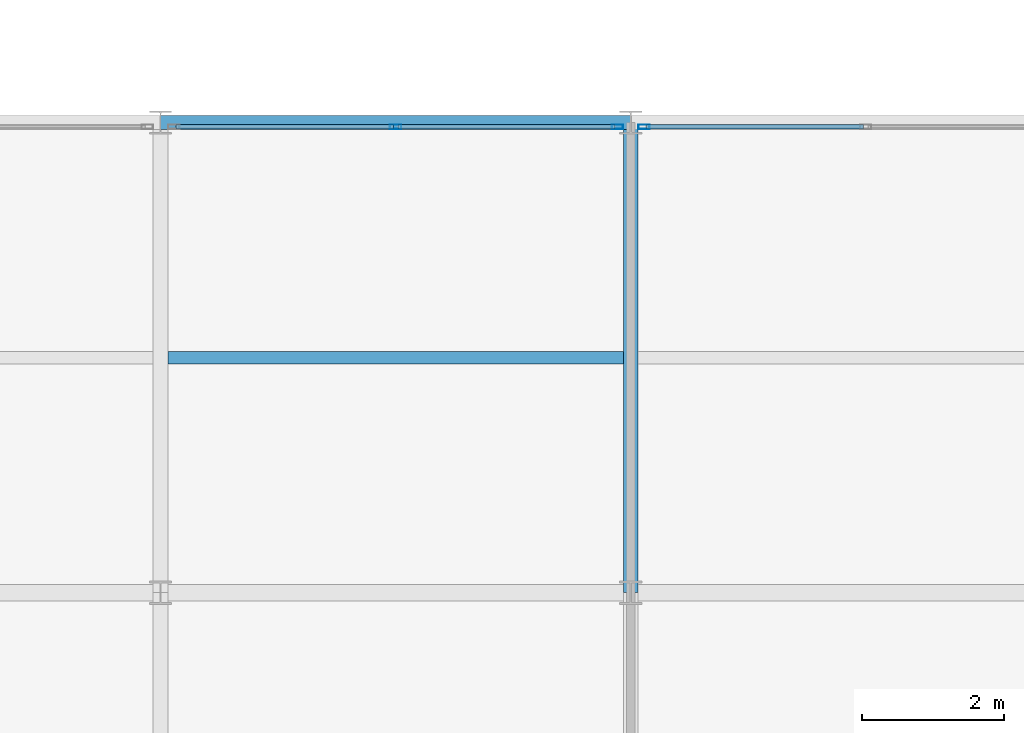
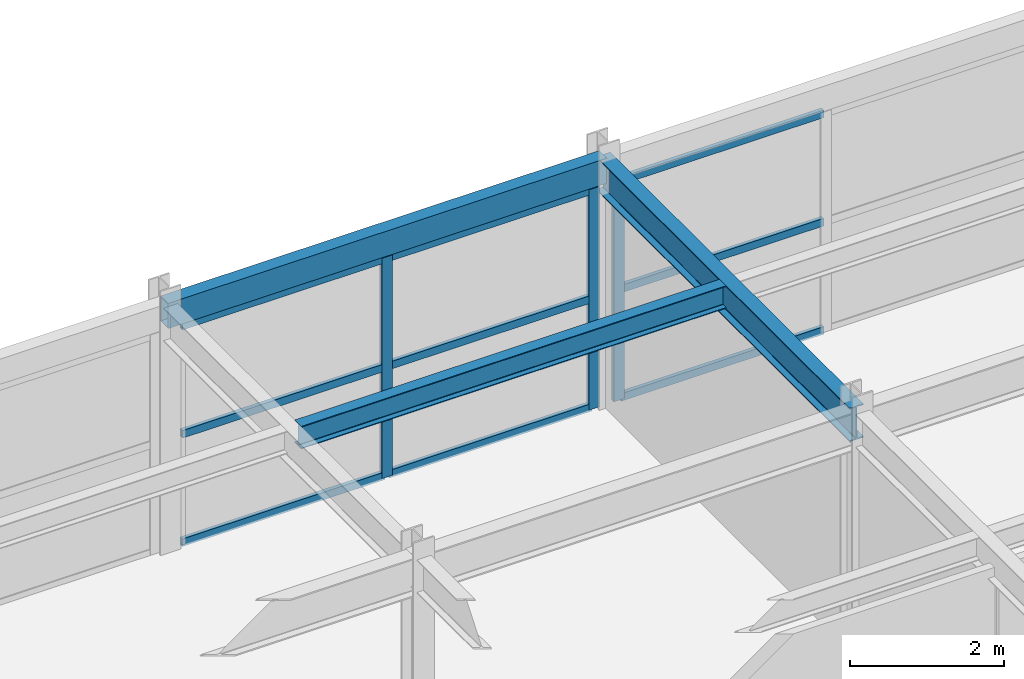
# One storey, part 44 of 106: 12 members, 3 beams, 2 elements without a shape of their own.
"""IFC4 building model written with IfcOpenShell, lengths in metres."""

from ifc_helpers import new_model, si_unit, direction, frame, origin, origin_2d, place, context, subcontext, project, spatial, hollow_rectangle, i_section, extrude, material, material_profile, profile_set, type_object, element, aggregate, save


model = new_model("IFC4")

# Units and contexts
model_context = context("Model", 3, precision=1e-05, world=origin(), true_north=direction((0.0, 1.0)))
body_context = subcontext(model_context, "Body", "Model", "MODEL_VIEW")
ifc_project = project(units=[si_unit("LENGTHUNIT", "METRE"), si_unit("AREAUNIT", "SQUARE_METRE"), si_unit("VOLUMEUNIT", "CUBIC_METRE"), si_unit("PLANEANGLEUNIT", "RADIAN"), si_unit("MASSUNIT", "GRAM", prefix="KILO")], contexts=[model_context])

# Site, building, storey
site_placement = place(None, origin())
site = spatial("IfcSite", under=ifc_project, at=site_placement, CompositionType="ELEMENT")
building_placement = place(site_placement, origin())
building = spatial("IfcBuilding", under=site, at=building_placement, Name="Karori Crest Natural Sciences Institute", CompositionType="ELEMENT")
storey_placement = place(building_placement, frame((0.0, 0.0, 25.89990234375)))
storey = spatial("IfcBuildingStorey", under=building, at=storey_placement, Name="L06", CompositionType="ELEMENT", Elevation=25.89990234375)

# Beams
ifc_material_1 = material(Name="Structural steel AS/NZS 3679.1 Grade 350", Category="steel")
ifc_material_profile_1 = material_profile(ifc_material_1, i_section(OverallWidth=0.208984375, OverallDepth=0.532958984375, WebThickness=0.01025390625, FlangeThickness=0.015625, FilletRadius=0.013916015625, at=origin_2d()), Name="530UB92.4")
ifc_profile_set_1 = profile_set([ifc_material_profile_1], Name="Structural steel AS/NZS 3679.1 Grade 350")
beam_type_1 = type_object("IfcBeamType", Name="BT-05", PredefinedType="BEAM", material=ifc_profile_set_1)
beam_1_placement = place(storey_placement, frame((116.800048828125, 14.0, 3.653564453125), z_axis=(0.0, 1.0, 0.0), x_axis=(-1.0, 0.0, 0.0)))
element("IfcBeam", 1, at=beam_1_placement, inside=storey, type_object=beam_type_1, Name="Beam B-2579", PredefinedType="BEAM", context=body_context, shape_type="SweptSolid", body=[
    extrude(i_section(OverallWidth=0.208984375, OverallDepth=0.532958984375, WebThickness=0.01025390625, FlangeThickness=0.015625, FilletRadius=0.013916015625, at=origin_2d()), origin(), (0.0, 0.0, 1.0), 6.60009765625),
])
ifc_material_profile_2 = material_profile(ifc_material_1, i_section(OverallWidth=0.172119140625, OverallDepth=0.35888671875, WebThickness=0.008056640625, FlangeThickness=0.012939453125, FilletRadius=0.010986328125, at=origin_2d()), Name="360UB56.7")
ifc_profile_set_2 = profile_set([ifc_material_profile_2], Name="Structural steel AS/NZS 3679.1 Grade 350")
beam_type_2 = type_object("IfcBeamType", Name="BT-08", PredefinedType="BEAM", material=ifc_profile_set_2)
beam_2_placement = place(storey_placement, frame((110.304443359375, 17.300048828125, 3.740478515625), z_axis=(1.0, 0.0, 0.0), x_axis=(0.0, 1.0, 0.0)))
element("IfcBeam", 2, at=beam_2_placement, inside=storey, type_object=beam_type_2, Name="Beam B-2601", PredefinedType="BEAM", context=body_context, shape_type="SweptSolid", body=[
    extrude(i_section(OverallWidth=0.172119140625, OverallDepth=0.35888671875, WebThickness=0.008056640625, FlangeThickness=0.012939453125, FilletRadius=0.010986328125, at=origin_2d()), origin(), (0.0, 0.0, 1.0), 6.39111328125),
])
ifc_material_2 = material(Name="Hollow structural steel AS/NZS 1163 Grade C350", Category="steel")
ifc_material_profile_3 = material_profile(ifc_material_2, hollow_rectangle(XDim=0.199951171875, YDim=0.39990234375, WallThickness=0.012451171875, at=origin_2d()), Name="RHS400x200x12.5")
ifc_profile_set_3 = profile_set([ifc_material_profile_3], Name="Hollow structural steel AS/NZS 1163 Grade C350")
beam_type_3 = type_object("IfcBeamType", Name="BT-14", PredefinedType="SPANDREL", material=ifc_profile_set_3)
beam_3_placement = place(storey_placement, frame((110.199951171875, 20.60009765625, 3.72021484375), z_axis=(1.0, 0.0, 0.0), x_axis=(0.0, 1.0, 0.0)))
element("IfcBeam", 3, at=beam_3_placement, inside=storey, type_object=beam_type_3, Name="Beam B-2564", PredefinedType="SPANDREL", context=body_context, shape_type="SweptSolid", body=[
    extrude(hollow_rectangle(XDim=0.199951171875, YDim=0.39990234375, WallThickness=0.012451171875, at=origin_2d()), origin(), (0.0, 0.0, 1.0), 6.60009765625),
])

# Curtain wall, members
ifc_material_3 = material(Name="Anodised architectural aluminium 6063-T6", Category="aluminium")
curtain_wall_type = type_object("IfcCurtainWallType", Name="CWT-20", PredefinedType="NOTDEFINED", material=ifc_material_3)
curtain_wall_1_placement = place(storey_placement, origin())
curtain_wall_1 = element("IfcCurtainWall", 4, at=curtain_wall_1_placement, inside=storey, type_object=curtain_wall_type, Name="Curtain wall CW-0350", PredefinedType="NOTDEFINED")
ifc_material_profile_4 = material_profile(ifc_material_3, hollow_rectangle(XDim=0.06494140625, YDim=0.159912109375, WallThickness=0.00390625, at=origin_2d()), Name="CWM160x65x4")
ifc_profile_set_4 = profile_set([ifc_material_profile_4], Name="Anodised architectural aluminium 6063-T6")
member_type_1 = type_object("IfcMemberType", Name="CWM-01", PredefinedType="MULLION", material=ifc_profile_set_4)
member_1_placement = place(storey_placement, frame((113.5, 20.5400390625, 0.0), z_axis=(0.0, 0.0, 1.0), x_axis=(0.0, 1.0, 0.0)))
member_1 = element("IfcMember", 5, at=member_1_placement, type_object=member_type_1, Name="CW-0350 mullion 2", PredefinedType="MULLION", context=body_context, shape_type="SweptSolid", body=[
    extrude(hollow_rectangle(XDim=0.06494140625, YDim=0.159912109375, WallThickness=0.00390625, at=origin_2d()), origin(), (0.0, 0.0, 1.0), 3.505126953125),
])
member_2_placement = place(storey_placement, frame((116.614013671875, 20.5400390625, 0.0), z_axis=(0.0, 0.0, 1.0), x_axis=(0.0, 1.0, 0.0)))
member_2 = element("IfcMember", 6, at=member_2_placement, type_object=member_type_1, Name="CW-0350 mullion 3", PredefinedType="MULLION", context=body_context, shape_type="SweptSolid", body=[
    extrude(hollow_rectangle(XDim=0.06494140625, YDim=0.159912109375, WallThickness=0.00390625, at=origin_2d()), origin(), (0.0, 0.0, 1.0), 3.505126953125),
])

# Curtain wall, member
curtain_wall_2_placement = place(storey_placement, origin())
curtain_wall_2 = element("IfcCurtainWall", 7, at=curtain_wall_2_placement, inside=storey, type_object=curtain_wall_type, Name="Curtain wall CW-0351", PredefinedType="NOTDEFINED")
member_3_placement = place(storey_placement, frame((116.986083984375, 20.5400390625, 0.0), z_axis=(0.0, 0.0, 1.0), x_axis=(0.0, 1.0, 0.0)))
member_3 = element("IfcMember", 8, at=member_3_placement, type_object=member_type_1, Name="CW-0351 mullion 1", PredefinedType="MULLION", context=body_context, shape_type="SweptSolid", body=[
    extrude(hollow_rectangle(XDim=0.06494140625, YDim=0.159912109375, WallThickness=0.00390625, at=origin_2d()), origin(), (0.0, 0.0, 1.0), 3.505126953125),
])

# Member
ifc_material_profile_5 = material_profile(ifc_material_3, hollow_rectangle(XDim=0.06005859375, YDim=0.1201171875, WallThickness=0.00390625, at=origin_2d()), Name="CWT120x60x4")
ifc_profile_set_5 = profile_set([ifc_material_profile_5], Name="Anodised architectural aluminium 6063-T6")
member_type_2 = type_object("IfcMemberType", Name="CWT-TR1", PredefinedType="USERDEFINED", material=ifc_profile_set_5)
member_4_placement = place(storey_placement, frame((110.41845703125, 20.5400390625, 0.030029296875), z_axis=(1.0, 0.0, 0.0), x_axis=(0.0, 1.0, 0.0)))
member_4 = element("IfcMember", 9, at=member_4_placement, type_object=member_type_2, Name="CW-0350 transom 1.1", ObjectType="TRANSOM", PredefinedType="USERDEFINED", context=body_context, shape_type="SweptSolid", body=[
    extrude(hollow_rectangle(XDim=0.06005859375, YDim=0.1201171875, WallThickness=0.00390625, at=origin_2d()), origin(), (0.0, 0.0, 1.0), 3.049072265625),
])

member_5_placement = place(storey_placement, frame((110.41845703125, 20.5400390625, 1.752685546875), z_axis=(1.0, 0.0, 0.0), x_axis=(0.0, 1.0, 0.0)))
member_5 = element("IfcMember", 10, at=member_5_placement, type_object=member_type_2, Name="CW-0350 transom 1.2", ObjectType="TRANSOM", PredefinedType="USERDEFINED", context=body_context, shape_type="SweptSolid", body=[
    extrude(hollow_rectangle(XDim=0.06005859375, YDim=0.1201171875, WallThickness=0.00390625, at=origin_2d()), origin(), (0.0, 0.0, 1.0), 3.049072265625),
])

member_6_placement = place(storey_placement, frame((110.41845703125, 20.5400390625, 3.47509765625), z_axis=(1.0, 0.0, 0.0), x_axis=(0.0, 1.0, 0.0)))
member_6 = element("IfcMember", 11, at=member_6_placement, type_object=member_type_2, Name="CW-0350 transom 1.3", ObjectType="TRANSOM", PredefinedType="USERDEFINED", context=body_context, shape_type="SweptSolid", body=[
    extrude(hollow_rectangle(XDim=0.06005859375, YDim=0.1201171875, WallThickness=0.00390625, at=origin_2d()), origin(), (0.0, 0.0, 1.0), 3.049072265625),
])

member_7_placement = place(storey_placement, frame((113.532470703125, 20.5400390625, 0.030029296875), z_axis=(1.0, 0.0, 0.0), x_axis=(0.0, 1.0, 0.0)))
member_7 = element("IfcMember", 12, at=member_7_placement, type_object=member_type_2, Name="CW-0350 transom 2.1", ObjectType="TRANSOM", PredefinedType="USERDEFINED", context=body_context, shape_type="SweptSolid", body=[
    extrude(hollow_rectangle(XDim=0.06005859375, YDim=0.1201171875, WallThickness=0.00390625, at=origin_2d()), origin(), (0.0, 0.0, 1.0), 3.049072265625),
])

member_8_placement = place(storey_placement, frame((113.532470703125, 20.5400390625, 1.752685546875), z_axis=(1.0, 0.0, 0.0), x_axis=(0.0, 1.0, 0.0)))
member_8 = element("IfcMember", 13, at=member_8_placement, type_object=member_type_2, Name="CW-0350 transom 2.2", ObjectType="TRANSOM", PredefinedType="USERDEFINED", context=body_context, shape_type="SweptSolid", body=[
    extrude(hollow_rectangle(XDim=0.06005859375, YDim=0.1201171875, WallThickness=0.00390625, at=origin_2d()), origin(), (0.0, 0.0, 1.0), 3.049072265625),
])

member_9_placement = place(storey_placement, frame((113.532470703125, 20.5400390625, 3.47509765625), z_axis=(1.0, 0.0, 0.0), x_axis=(0.0, 1.0, 0.0)))
member_9 = element("IfcMember", 14, at=member_9_placement, type_object=member_type_2, Name="CW-0350 transom 2.3", ObjectType="TRANSOM", PredefinedType="USERDEFINED", context=body_context, shape_type="SweptSolid", body=[
    extrude(hollow_rectangle(XDim=0.06005859375, YDim=0.1201171875, WallThickness=0.00390625, at=origin_2d()), origin(), (0.0, 0.0, 1.0), 3.049072265625),
])

aggregate(curtain_wall_1, [member_1, member_2, member_4, member_5, member_6, member_7, member_8, member_9])

member_10_placement = place(storey_placement, frame((117.0185546875, 20.5400390625, 0.030029296875), z_axis=(1.0, 0.0, 0.0), x_axis=(0.0, 1.0, 0.0)))
member_10 = element("IfcMember", 15, at=member_10_placement, type_object=member_type_2, Name="CW-0351 transom 1.1", ObjectType="TRANSOM", PredefinedType="USERDEFINED", context=body_context, shape_type="SweptSolid", body=[
    extrude(hollow_rectangle(XDim=0.06005859375, YDim=0.1201171875, WallThickness=0.00390625, at=origin_2d()), origin(), (0.0, 0.0, 1.0), 3.048828125),
])

member_11_placement = place(storey_placement, frame((117.0185546875, 20.5400390625, 1.752685546875), z_axis=(1.0, 0.0, 0.0), x_axis=(0.0, 1.0, 0.0)))
member_11 = element("IfcMember", 16, at=member_11_placement, type_object=member_type_2, Name="CW-0351 transom 1.2", ObjectType="TRANSOM", PredefinedType="USERDEFINED", context=body_context, shape_type="SweptSolid", body=[
    extrude(hollow_rectangle(XDim=0.06005859375, YDim=0.1201171875, WallThickness=0.00390625, at=origin_2d()), origin(), (0.0, 0.0, 1.0), 3.048828125),
])

member_12_placement = place(storey_placement, frame((117.0185546875, 20.5400390625, 3.47509765625), z_axis=(1.0, 0.0, 0.0), x_axis=(0.0, 1.0, 0.0)))
member_12 = element("IfcMember", 17, at=member_12_placement, type_object=member_type_2, Name="CW-0351 transom 1.3", ObjectType="TRANSOM", PredefinedType="USERDEFINED", context=body_context, shape_type="SweptSolid", body=[
    extrude(hollow_rectangle(XDim=0.06005859375, YDim=0.1201171875, WallThickness=0.00390625, at=origin_2d()), origin(), (0.0, 0.0, 1.0), 3.048828125),
])

aggregate(curtain_wall_2, [member_3, member_10, member_11, member_12])

save(model, "model.ifc")
